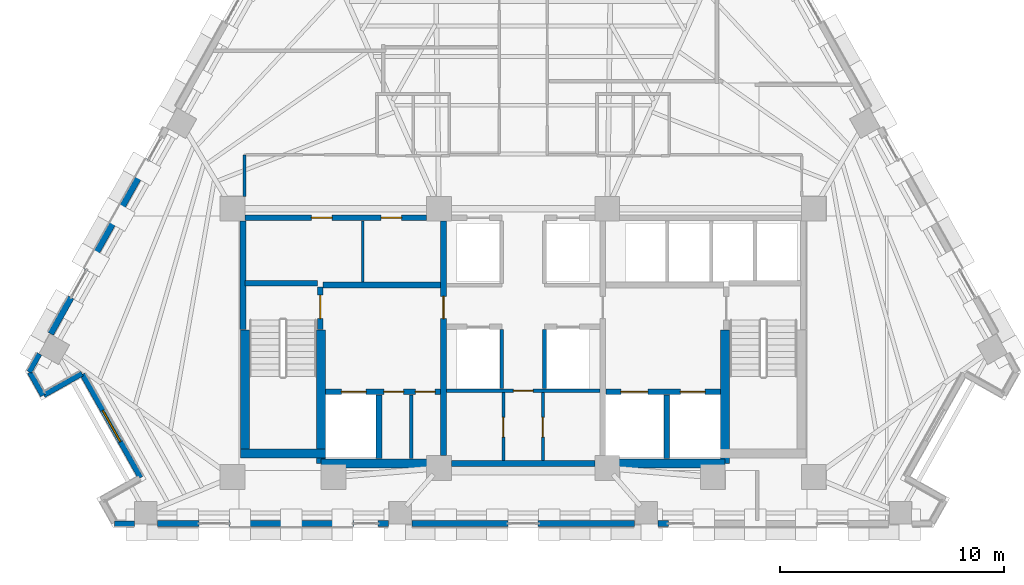
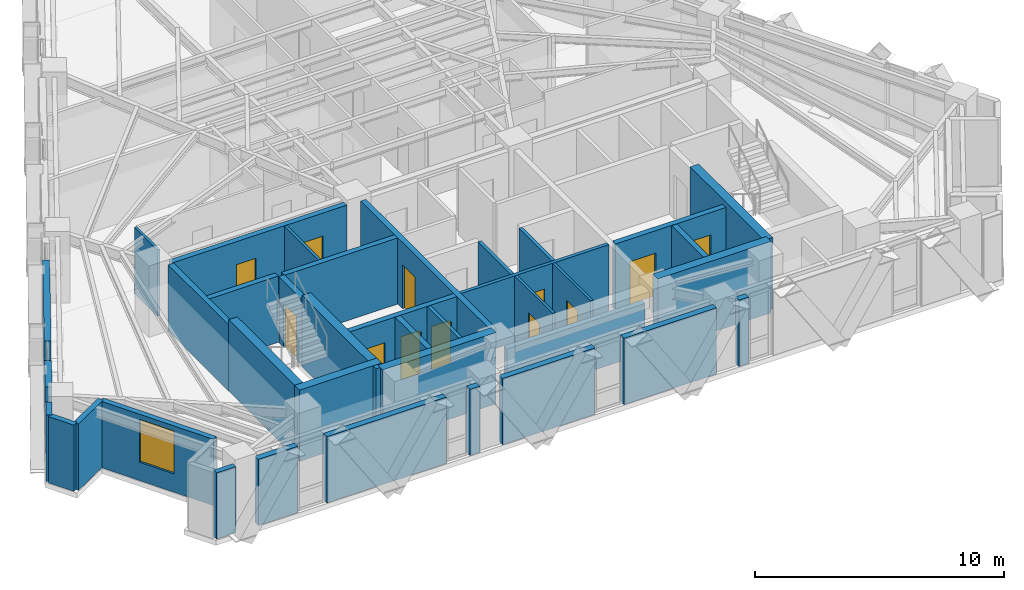
# One storey, part 7 of 14: 38 walls, 12 doors, 1 window, 13 openings.
"""IFC4 building model written with IfcOpenShell, lengths in metres."""

from ifc_helpers import new_model, si_unit, direction, frame, frame_2d, origin, place, context, subcontext, project, spatial, rectangle, extrude, material, layer, layer_set, type_object, element, fill, save


model = new_model("IFC4")

# Units and contexts
model_context = context("Model", 3, precision=1e-05, world=origin(), true_north=direction((0.0, 1.0)))
body_context = subcontext(model_context, "Body", "Model", "MODEL_VIEW")
ifc_project = project(units=[si_unit("LENGTHUNIT", "METRE"), si_unit("AREAUNIT", "SQUARE_METRE"), si_unit("VOLUMEUNIT", "CUBIC_METRE"), si_unit("PLANEANGLEUNIT", "RADIAN"), si_unit("MASSUNIT", "GRAM", prefix="KILO")], contexts=[model_context])

# Site, building, storey
site_placement = place(None, origin())
site = spatial("IfcSite", under=ifc_project, at=site_placement, CompositionType="ELEMENT")
building_placement = place(site_placement, origin())
building = spatial("IfcBuilding", under=site, at=building_placement, Name="Quenlor Broadcast Tower", CompositionType="ELEMENT")
storey_placement = place(building_placement, frame((0.0, 0.0, 140.5)))
storey = spatial("IfcBuildingStorey", under=building, at=storey_placement, Name="L38", CompositionType="ELEMENT", Elevation=140.5)

# Walls
ifc_material_1 = material(Name="Concrete C50/60", Category="concrete")
ifc_layer_1 = layer(ifc_material_1, 0.39990234375)
ifc_layer_set_1 = layer_set([ifc_layer_1], Name="Core Concrete C50/60 Shear Wall 400")
wall_type_1 = type_object("IfcWallType", Name="Core Concrete C50/60 Shear Wall 400", PredefinedType="SHEAR", material=ifc_layer_set_1)
wall_1_placement = place(storey_placement, frame((-12.60009765625, -15.699951171875, 0.0), z_axis=(0.0, 0.0, 1.0), x_axis=(1.0, 0.0, 0.0)))
element("IfcWall", 1, at=wall_1_placement, inside=storey, type_object=wall_type_1, Name="L38 Core Shear Wall WS-W1", PredefinedType="SHEAR", context=body_context, shape_type="SweptSolid", body=[
    extrude(rectangle(XDim=3.800048828125, YDim=0.39990234375, at=frame_2d((1.89990234375, 0.0))), origin(), (0.0, 0.0, 1.0), 3.5),
])
for number, where, z_axis, x_axis, name in (
    (2, (-9.0, -16.14990234375, 0.0), (0.0, 0.0, 1.0), (1.0, 0.0, 0.0), "L38 Core Shear Wall WS-W2"),
    (3, (3.75, -16.14990234375, 0.0), (0.0, 0.0, 1.0), (1.0, 0.0, 0.0), "L38 Core Shear Wall WS-E1"),
):
    element("IfcWall", number, at=place(storey_placement, frame(where, z_axis=z_axis, x_axis=x_axis)), inside=storey, type_object=wall_type_1, Name=name, PredefinedType="SHEAR", context=body_context, shape_type="SweptSolid", body=[
        extrude(rectangle(XDim=5.25, YDim=0.39990234375, at=frame_2d((2.625, 0.0))), origin(), (0.0, 0.0, 1.0), 3.5),
    ])
wall_2_placement = place(storey_placement, frame((-12.39990234375, -15.699951171875, 0.0), z_axis=(0.0, 0.0, 1.0), x_axis=(0.0, 1.0, 0.0)))
element("IfcWall", 4, at=wall_2_placement, inside=storey, type_object=wall_type_1, Name="L38 Core Shear Wall WF-W", PredefinedType="SHEAR", context=body_context, shape_type="SweptSolid", body=[
    extrude(rectangle(XDim=5.5, YDim=0.39990234375, at=frame_2d((2.75, 0.0))), origin(), (0.0, 0.0, 1.0), 3.5),
])
for number, where, z_axis, x_axis, name in (
    (5, (-9.0, -16.14990234375, 0.0), (0.0, 0.0, 1.0), (0.0, 1.0, 0.0), "L38 Core Shear Wall WI-W"),
    (6, (9.0, -16.14990234375, 0.0), (0.0, 0.0, 1.0), (0.0, 1.0, 0.0), "L38 Core Shear Wall WI-E"),
):
    element("IfcWall", number, at=place(storey_placement, frame(where, z_axis=z_axis, x_axis=x_axis)), inside=storey, type_object=wall_type_1, Name=name, PredefinedType="SHEAR", context=body_context, shape_type="SweptSolid", body=[
        extrude(rectangle(XDim=5.949951171875, YDim=0.39990234375, at=frame_2d((2.97509765625, 0.0))), origin(), (0.0, 0.0, 1.0), 3.5),
    ])

# Wall, opening, door
ifc_material_2 = material(Name="Concrete C40/50", Category="concrete")
ifc_layer_2 = layer(ifc_material_2, 0.25)
ifc_layer_set_2 = layer_set([ifc_layer_2], Name="Fire Rated Concrete C40/50 Core Wall 250")
wall_type_2 = type_object("IfcWallType", Name="Fire Rated Concrete C40/50 Core Wall 250", PredefinedType="PARTITIONING", material=ifc_layer_set_2)
wall_3_placement = place(storey_placement, frame((-9.0400390625, -10.179931640625, 0.0), z_axis=(0.0, 0.0, 1.0), x_axis=(0.0, 1.0, 0.0)))
wall_3 = element("IfcWall", 7, at=wall_3_placement, inside=storey, type_object=wall_type_2, Name="L38 Interior Wall CW-ST1-DR", PredefinedType="PARTITIONING", context=body_context, shape_type="SweptSolid", body=[
    extrude(rectangle(XDim=1.89990234375, YDim=0.25, at=frame_2d((0.949951171875, 0.0))), origin(), (0.0, 0.0, 1.0), 3.25),
])
opening_1_placement = place(wall_3_placement, frame((0.47998046875, 0.0, 0.0)))
opening_1 = element("IfcOpeningElement", 8, at=opening_1_placement, cuts=wall_3, Name="Opening FD-1", PredefinedType="OPENING", context=body_context, shape_type="SweptSolid", body=[
    extrude(rectangle(XDim=1.050048828125, YDim=2.14990234375, at=frame_2d((0.52490234375, 1.074951171875))), frame((0.0, 0.135009765625, 0.0), z_axis=(0.0, -1.0, 0.0), x_axis=(1.0, 0.0, 0.0)), (0.0, 0.0, 1.0), 0.27001953125),
])
ifc_material_3 = material(Name="Fire Rated Steel Door Leaf", Category="steel")
door_type_1 = type_object("IfcDoorType", Name="Fire Isolated Stair Door 1050x2150", OperationType="NOTDEFINED", PredefinedType="DOOR", material=ifc_material_3)
door_1_placement = place(opening_1_placement, origin())
door_1 = element("IfcDoor", 9, at=door_1_placement, inside=storey, type_object=door_type_1, Name="L38 Door DR-ST1", OperationType="SINGLE_SWING_LEFT", OverallHeight=2.14990234375, OverallWidth=1.050048828125, PredefinedType="DOOR", context=body_context, shape_type="SweptSolid", body=[
    extrude(rectangle(XDim=1.050048828125, YDim=2.14990234375, at=frame_2d((0.52490234375, 1.074951171875))), frame((0.0, 0.02490234375, 0.0), z_axis=(0.0, -1.0, 0.0), x_axis=(1.0, 0.0, 0.0)), (0.0, 0.0, 1.0), 0.050048828125),
])
fill(opening_1, door_1)

# Walls
wall_4_placement = place(storey_placement, frame((-12.3798828125, -8.1201171875, 0.0), z_axis=(0.0, 0.0, 1.0), x_axis=(1.0, 0.0, 0.0)))
element("IfcWall", 10, at=wall_4_placement, inside=storey, type_object=wall_type_2, Name="L38 Interior Wall CW-ST1-N", PredefinedType="PARTITIONING", context=body_context, shape_type="SweptSolid", body=[
    extrude(rectangle(XDim=3.219970703125, YDim=0.25, at=frame_2d((1.60986328125, 0.0))), origin(), (0.0, 0.0, 1.0), 3.25),
])
wall_5_placement = place(storey_placement, frame((-12.47998046875, -10.179931640625, 0.0), z_axis=(0.0, 0.0, 1.0), x_axis=(0.0, 1.0, 0.0)))
element("IfcWall", 11, at=wall_5_placement, inside=storey, type_object=wall_type_2, Name="L38 Interior Wall CW-ST1-W2", PredefinedType="PARTITIONING", context=body_context, shape_type="SweptSolid", body=[
    extrude(rectangle(XDim=4.827880859375, YDim=0.25, at=frame_2d((2.4140625, 0.0))), origin(), (0.0, 0.0, 1.0), 3.25),
])

# Wall, openings, doors
wall_6_placement = place(storey_placement, frame((-8.798095703125, -12.949951171875, 0.0), z_axis=(0.0, 0.0, 1.0), x_axis=(1.0, 0.0, 0.0)))
wall_6 = element("IfcWall", 12, at=wall_6_placement, inside=storey, type_object=wall_type_2, Name="L38 Interior Wall CW-FFW-S", PredefinedType="PARTITIONING", context=body_context, shape_type="SweptSolid", body=[
    extrude(rectangle(XDim=5.1181640625, YDim=0.25, at=frame_2d((2.55908203125, 0.0))), origin(), (0.0, 0.0, 1.0), 3.25),
])
opening_2_placement = place(wall_6_placement, frame((0.697998046875, 0.0, 0.0)))
opening_2 = element("IfcOpeningElement", 13, at=opening_2_placement, cuts=wall_6, Name="Opening LD-FFL-1", PredefinedType="OPENING", context=body_context, shape_type="SweptSolid", body=[
    extrude(rectangle(XDim=1.10009765625, YDim=2.14990234375, at=frame_2d((0.550048828125, 1.074951171875))), frame((0.0, 0.135009765625, 0.0), z_axis=(0.0, -1.0, 0.0), x_axis=(1.0, 0.0, 0.0)), (0.0, 0.0, 1.0), 0.27001953125),
])
opening_3_placement = place(wall_6_placement, frame((2.597900390625, 0.0, 0.0)))
opening_3 = element("IfcOpeningElement", 14, at=opening_3_placement, cuts=wall_6, Name="Opening TD-1", PredefinedType="OPENING", context=body_context, shape_type="SweptSolid", body=[
    extrude(rectangle(XDim=0.8798828125, YDim=2.10009765625, at=frame_2d((0.43994140625, 1.050048828125))), frame((0.0, 0.135009765625, 0.0), z_axis=(0.0, -1.0, 0.0), x_axis=(1.0, 0.0, 0.0)), (0.0, 0.0, 1.0), 0.27001953125),
])
opening_4_placement = place(wall_6_placement, frame((3.998046875, 0.0, 0.0)))
opening_4 = element("IfcOpeningElement", 15, at=opening_4_placement, cuts=wall_6, Name="Opening TD-1", PredefinedType="OPENING", context=body_context, shape_type="SweptSolid", body=[
    extrude(rectangle(XDim=0.8798828125, YDim=2.10009765625, at=frame_2d((0.43994140625, 1.050048828125))), frame((0.0, 0.135009765625, 0.0), z_axis=(0.0, -1.0, 0.0), x_axis=(1.0, 0.0, 0.0)), (0.0, 0.0, 1.0), 0.27001953125),
])
ifc_material_4 = material(Name="Brushed Stainless Steel", Category="steel")
door_type_2 = type_object("IfcDoorType", Name="Emergency Lift Sliding Landing Door 1100x2150", OperationType="NOTDEFINED", PredefinedType="DOOR", material=ifc_material_4)
door_2_placement = place(opening_2_placement, origin())
door_2 = element("IfcDoor", 16, at=door_2_placement, inside=storey, type_object=door_type_2, Name="L38 Door LD-FFL-1", OperationType="SLIDING_TO_LEFT", OverallHeight=2.14990234375, OverallWidth=1.10009765625, PredefinedType="DOOR", context=body_context, shape_type="SweptSolid", body=[
    extrude(rectangle(XDim=1.10009765625, YDim=2.14990234375, at=frame_2d((0.550048828125, 1.074951171875))), frame((0.0, 0.02490234375, 0.0), z_axis=(0.0, -1.0, 0.0), x_axis=(1.0, 0.0, 0.0)), (0.0, 0.0, 1.0), 0.050048828125),
])
fill(opening_2, door_2)
ifc_material_5 = material(Name="Fire Rated Steel Access Panel", Category="steel")
door_type_3 = type_object("IfcDoorType", Name="Riser Shaft Rated Access Trapdoor 880x2100", OperationType="NOTDEFINED", PredefinedType="TRAPDOOR", material=ifc_material_5)
door_3_placement = place(opening_3_placement, origin())
door_3 = element("IfcDoor", 17, at=door_3_placement, inside=storey, type_object=door_type_3, Name="L38 Door DR-ELR", OperationType="SINGLE_SWING_LEFT", OverallHeight=2.10009765625, OverallWidth=0.8798828125, PredefinedType="TRAPDOOR", context=body_context, shape_type="SweptSolid", body=[
    extrude(rectangle(XDim=0.8798828125, YDim=2.10009765625, at=frame_2d((0.43994140625, 1.050048828125))), frame((0.0, 0.02490234375, 0.0), z_axis=(0.0, -1.0, 0.0), x_axis=(1.0, 0.0, 0.0)), (0.0, 0.0, 1.0), 0.050048828125),
])
fill(opening_3, door_3)
door_4_placement = place(opening_4_placement, origin())
door_4 = element("IfcDoor", 18, at=door_4_placement, inside=storey, type_object=door_type_3, Name="L38 Door DR-CMR", OperationType="SINGLE_SWING_RIGHT", OverallHeight=2.10009765625, OverallWidth=0.8798828125, PredefinedType="TRAPDOOR", context=body_context, shape_type="SweptSolid", body=[
    extrude(rectangle(XDim=0.8798828125, YDim=2.10009765625, at=frame_2d((0.43994140625, 1.050048828125))), frame((0.0, 0.02490234375, 0.0), z_axis=(0.0, -1.0, 0.0), x_axis=(1.0, 0.0, 0.0)), (0.0, 0.0, 1.0), 0.050048828125),
])
fill(opening_4, door_4)

wall_7_placement = place(storey_placement, frame((3.679931640625, -12.949951171875, 0.0), z_axis=(0.0, 0.0, 1.0), x_axis=(1.0, 0.0, 0.0)))
wall_7 = element("IfcWall", 19, at=wall_7_placement, inside=storey, type_object=wall_type_2, Name="L38 Interior Wall CW-FFE-S", PredefinedType="PARTITIONING", context=body_context, shape_type="SweptSolid", body=[
    extrude(rectangle(XDim=5.1181640625, YDim=0.25, at=frame_2d((2.55908203125, 0.0))), origin(), (0.0, 0.0, 1.0), 3.25),
])
opening_5_placement = place(wall_7_placement, frame((3.320068359375, 0.0, 0.0)))
opening_5 = element("IfcOpeningElement", 20, at=opening_5_placement, cuts=wall_7, Name="Opening LD-FFL-2", PredefinedType="OPENING", context=body_context, shape_type="SweptSolid", body=[
    extrude(rectangle(XDim=1.10009765625, YDim=2.14990234375, at=frame_2d((0.550048828125, 1.074951171875))), frame((0.0, 0.135009765625, 0.0), z_axis=(0.0, -1.0, 0.0), x_axis=(1.0, 0.0, 0.0)), (0.0, 0.0, 1.0), 0.27001953125),
])
opening_6_placement = place(wall_7_placement, frame((0.669921875, 0.0, 0.0)))
opening_6 = element("IfcOpeningElement", 21, at=opening_6_placement, cuts=wall_7, Name="Opening LD-SVL-1", PredefinedType="OPENING", context=body_context, shape_type="SweptSolid", body=[
    extrude(rectangle(XDim=1.199951171875, YDim=2.14990234375, at=frame_2d((0.60009765625, 1.074951171875))), frame((0.0, 0.135009765625, 0.0), z_axis=(0.0, -1.0, 0.0), x_axis=(1.0, 0.0, 0.0)), (0.0, 0.0, 1.0), 0.27001953125),
])
door_5_placement = place(opening_5_placement, origin())
door_5 = element("IfcDoor", 22, at=door_5_placement, inside=storey, type_object=door_type_2, Name="L38 Door LD-FFL-2", OperationType="SLIDING_TO_RIGHT", OverallHeight=2.14990234375, OverallWidth=1.10009765625, PredefinedType="DOOR", context=body_context, shape_type="SweptSolid", body=[
    extrude(rectangle(XDim=1.10009765625, YDim=2.14990234375, at=frame_2d((0.550048828125, 1.074951171875))), frame((0.0, 0.02490234375, 0.0), z_axis=(0.0, -1.0, 0.0), x_axis=(1.0, 0.0, 0.0)), (0.0, 0.0, 1.0), 0.050048828125),
])
fill(opening_5, door_5)
ifc_material_6 = material(Name="Brushed Stainless Steel", Category="steel")
door_type_4 = type_object("IfcDoorType", Name="Goods Lift Sliding Landing Door 1200x2150", OperationType="NOTDEFINED", PredefinedType="DOOR", material=ifc_material_6)
door_6_placement = place(opening_6_placement, origin())
door_6 = element("IfcDoor", 23, at=door_6_placement, inside=storey, type_object=door_type_4, Name="L38 Door LD-SVL-1", OperationType="SLIDING_TO_LEFT", OverallHeight=2.14990234375, OverallWidth=1.199951171875, PredefinedType="DOOR", context=body_context, shape_type="SweptSolid", body=[
    extrude(rectangle(XDim=1.199951171875, YDim=2.14990234375, at=frame_2d((0.60009765625, 1.074951171875))), frame((0.0, 0.02490234375, 0.0), z_axis=(0.0, -1.0, 0.0), x_axis=(1.0, 0.0, 0.0)), (0.0, 0.0, 1.0), 0.050048828125),
])
fill(opening_6, door_6)

# Walls
for number, where, z_axis, x_axis, name in (
    (24, (-6.419921875, -15.919921875, 0.0), (0.0, 0.0, 1.0), (0.0, 1.0, 0.0), "L38 Interior Wall CW-FF1-E"),
    (25, (6.39990234375, -15.919921875, 0.0), (0.0, 0.0, 1.0), (0.0, 1.0, 0.0), "L38 Interior Wall CW-SV1-E"),
):
    element("IfcWall", number, at=place(storey_placement, frame(where, z_axis=z_axis, x_axis=x_axis)), inside=storey, type_object=wall_type_2, Name=name, PredefinedType="PARTITIONING", context=body_context, shape_type="SweptSolid", body=[
        extrude(rectangle(XDim=2.829833984375, YDim=0.25, at=frame_2d((1.4150390625, 0.0))), origin(), (0.0, 0.0, 1.0), 3.25),
    ])
wall_8_placement = place(storey_placement, frame((-8.919921875, -8.199951171875, 0.0), z_axis=(0.0, 0.0, 1.0), x_axis=(1.0, 0.0, 0.0)))
element("IfcWall", 26, at=wall_8_placement, inside=storey, type_object=wall_type_2, Name="L38 Interior Wall CW-FFW-N", PredefinedType="PARTITIONING", context=body_context, shape_type="SweptSolid", body=[
    extrude(rectangle(XDim=5.239990234375, YDim=0.25, at=frame_2d((2.6201171875, 0.0))), origin(), (0.0, 0.0, 1.0), 3.25),
])

# Wall, opening, door
wall_9_placement = place(storey_placement, frame((-3.550048828125, -15.798095703125, 0.0), z_axis=(0.0, 0.0, 1.0), x_axis=(0.0, 1.0, 0.0)))
wall_9 = element("IfcWall", 27, at=wall_9_placement, inside=storey, type_object=wall_type_2, Name="L38 Interior Wall CW-FFW-E", PredefinedType="PARTITIONING", context=body_context, shape_type="SweptSolid", body=[
    extrude(rectangle(XDim=10.446044921875, YDim=0.25, at=frame_2d((5.22314453125, 0.0))), origin(), (0.0, 0.0, 1.0), 3.25),
])
opening_7_placement = place(wall_9_placement, frame((6.097900390625, 0.0, 0.0)))
opening_7 = element("IfcOpeningElement", 28, at=opening_7_placement, cuts=wall_9, Name="Opening FD-2", PredefinedType="OPENING", context=body_context, shape_type="SweptSolid", body=[
    extrude(rectangle(XDim=1.0, YDim=2.14990234375, at=frame_2d((0.5, 1.074951171875))), frame((0.0, 0.135009765625, 0.0), z_axis=(0.0, -1.0, 0.0), x_axis=(1.0, 0.0, 0.0)), (0.0, 0.0, 1.0), 0.27001953125),
])
ifc_material_7 = material(Name="Fire Rated Glazed Steel Door", Category="steel")
door_type_5 = type_object("IfcDoorType", Name="Firefighting Lobby Smoke Door 1000x2150", OperationType="NOTDEFINED", PredefinedType="DOOR", material=ifc_material_7)
door_7_placement = place(opening_7_placement, origin())
door_7 = element("IfcDoor", 29, at=door_7_placement, inside=storey, type_object=door_type_5, Name="L38 Door DR-FFLW", OperationType="SINGLE_SWING_RIGHT", OverallHeight=2.14990234375, OverallWidth=1.0, PredefinedType="DOOR", context=body_context, shape_type="SweptSolid", body=[
    extrude(rectangle(XDim=1.0, YDim=2.14990234375, at=frame_2d((0.5, 1.074951171875))), frame((0.0, 0.02490234375, 0.0), z_axis=(0.0, -1.0, 0.0), x_axis=(1.0, 0.0, 0.0)), (0.0, 0.0, 1.0), 0.050048828125),
])
fill(opening_7, door_7)

# Wall, openings, doors
wall_10_placement = place(storey_placement, frame((-12.39794921875, -5.199951171875, 0.0), z_axis=(0.0, 0.0, 1.0), x_axis=(1.0, 0.0, 0.0)))
wall_10 = element("IfcWall", 30, at=wall_10_placement, inside=storey, type_object=wall_type_2, Name="L38 Interior Wall CW-N-W", PredefinedType="PARTITIONING", context=body_context, shape_type="SweptSolid", body=[
    extrude(rectangle(XDim=8.095947265625, YDim=0.25, at=frame_2d((4.0478515625, 0.0))), origin(), (0.0, 0.0, 1.0), 3.25),
])
opening_8_placement = place(wall_10_placement, frame((2.968017578125, 0.0, 0.0)))
opening_8 = element("IfcOpeningElement", 31, at=opening_8_placement, cuts=wall_10, Name="Opening ID-1", PredefinedType="OPENING", context=body_context, shape_type="SweptSolid", body=[
    extrude(rectangle(XDim=0.919921875, YDim=2.1201171875, at=frame_2d((0.4599609375, 1.06005859375))), frame((0.0, 0.135009765625, 0.0), z_axis=(0.0, -1.0, 0.0), x_axis=(1.0, 0.0, 0.0)), (0.0, 0.0, 1.0), 0.27001953125),
])
opening_9_placement = place(wall_10_placement, frame((6.068115234375, 0.0, 0.0)))
opening_9 = element("IfcOpeningElement", 32, at=opening_9_placement, cuts=wall_10, Name="Opening ID-1", PredefinedType="OPENING", context=body_context, shape_type="SweptSolid", body=[
    extrude(rectangle(XDim=0.919921875, YDim=2.1201171875, at=frame_2d((0.4599609375, 1.06005859375))), frame((0.0, 0.135009765625, 0.0), z_axis=(0.0, -1.0, 0.0), x_axis=(1.0, 0.0, 0.0)), (0.0, 0.0, 1.0), 0.27001953125),
])
ifc_material_8 = material(Name="Solid Core Timber Oak", Category="wood")
door_type_6 = type_object("IfcDoorType", Name="Single Leaf Timber Office Door 920x2120", OperationType="NOTDEFINED", PredefinedType="DOOR", material=ifc_material_8)
door_8_placement = place(opening_8_placement, origin())
door_8 = element("IfcDoor", 33, at=door_8_placement, inside=storey, type_object=door_type_6, Name="L38 Door DR-RCL1", OperationType="SINGLE_SWING_LEFT", OverallHeight=2.1201171875, OverallWidth=0.919921875, PredefinedType="DOOR", context=body_context, shape_type="SweptSolid", body=[
    extrude(rectangle(XDim=0.919921875, YDim=2.1201171875, at=frame_2d((0.4599609375, 1.06005859375))), frame((0.0, 0.02490234375, 0.0), z_axis=(0.0, -1.0, 0.0), x_axis=(1.0, 0.0, 0.0)), (0.0, 0.0, 1.0), 0.050048828125),
])
fill(opening_8, door_8)
door_9_placement = place(opening_9_placement, origin())
door_9 = element("IfcDoor", 34, at=door_9_placement, inside=storey, type_object=door_type_6, Name="L38 Door DR-RCL2", OperationType="SINGLE_SWING_RIGHT", OverallHeight=2.1201171875, OverallWidth=0.919921875, PredefinedType="DOOR", context=body_context, shape_type="SweptSolid", body=[
    extrude(rectangle(XDim=0.919921875, YDim=2.1201171875, at=frame_2d((0.4599609375, 1.06005859375))), frame((0.0, 0.02490234375, 0.0), z_axis=(0.0, -1.0, 0.0), x_axis=(1.0, 0.0, 0.0)), (0.0, 0.0, 1.0), 0.050048828125),
])
fill(opening_9, door_9)

# Walls
wall_11_placement = place(storey_placement, frame((-3.197998046875, -16.14990234375, 0.0), z_axis=(0.0, 0.0, 1.0), x_axis=(1.0, 0.0, 0.0)))
element("IfcWall", 35, at=wall_11_placement, inside=storey, type_object=wall_type_2, Name="L38 Interior Wall CW-MS-S", PredefinedType="PARTITIONING", context=body_context, shape_type="SweptSolid", body=[
    extrude(rectangle(XDim=6.39599609375, YDim=0.25, at=frame_2d((3.197998046875, 0.0))), origin(), (0.0, 0.0, 1.0), 2.449951171875),
])
ifc_material_9 = material(Name="Gypsum Fireboard Partition", Category="other")
ifc_layer_3 = layer(ifc_material_9, 0.159912109375)
ifc_layer_set_3 = layer_set([ifc_layer_3], Name="Fire Rated Shaft and Corridor Partition 160")
wall_type_3 = type_object("IfcWallType", Name="Fire Rated Shaft and Corridor Partition 160", PredefinedType="PARTITIONING", material=ifc_layer_set_3)
wall_12_placement = place(storey_placement, frame((-4.97998046875, -15.919921875, 0.0), z_axis=(0.0, 0.0, 1.0), x_axis=(0.0, 1.0, 0.0)))
element("IfcWall", 36, at=wall_12_placement, inside=storey, type_object=wall_type_3, Name="L38 Interior Wall CW-ELR-E", PredefinedType="PARTITIONING", context=body_context, shape_type="SweptSolid", body=[
    extrude(rectangle(XDim=2.829833984375, YDim=0.159912109375, at=frame_2d((1.4150390625, 0.0))), origin(), (0.0, 0.0, 1.0), 3.25),
])

# Wall, opening, door
wall_13_placement = place(storey_placement, frame((-3.419921875, -12.89990234375, 0.0), z_axis=(0.0, 0.0, 1.0), x_axis=(1.0, 0.0, 0.0)))
wall_13 = element("IfcWall", 37, at=wall_13_placement, inside=storey, type_object=wall_type_3, Name="L38 Interior Wall CW-MS-B", PredefinedType="PARTITIONING", context=body_context, shape_type="SweptSolid", body=[
    extrude(rectangle(XDim=6.83984375, YDim=0.159912109375, at=frame_2d((3.419921875, 0.0))), origin(), (0.0, 0.0, 1.0), 3.25),
])
opening_10_placement = place(wall_13_placement, frame((2.97998046875, 0.0, 0.0)))
opening_10 = element("IfcOpeningElement", 38, at=opening_10_placement, cuts=wall_13, Name="Opening ID-4", PredefinedType="OPENING", context=body_context, shape_type="SweptSolid", body=[
    extrude(rectangle(XDim=0.8798828125, YDim=2.1201171875, at=frame_2d((0.43994140625, 1.06005859375))), frame((0.0, 0.08984375, 0.0), z_axis=(0.0, -1.0, 0.0), x_axis=(1.0, 0.0, 0.0)), (0.0, 0.0, 1.0), 0.179931640625),
])
ifc_material_10 = material(Name="Solid Core Timber Oak", Category="wood")
door_type_7 = type_object("IfcDoorType", Name="Service Closet Timber Door 880x2120", OperationType="NOTDEFINED", PredefinedType="DOOR", material=ifc_material_10)
door_10_placement = place(opening_10_placement, origin())
door_10 = element("IfcDoor", 39, at=door_10_placement, inside=storey, type_object=door_type_7, Name="L38 Door DR-CSV0", OperationType="SINGLE_SWING_LEFT", OverallHeight=2.1201171875, OverallWidth=0.8798828125, PredefinedType="DOOR", context=body_context, shape_type="SweptSolid", body=[
    extrude(rectangle(XDim=0.8798828125, YDim=2.1201171875, at=frame_2d((0.43994140625, 1.06005859375))), frame((0.0, 0.02490234375, 0.0), z_axis=(0.0, -1.0, 0.0), x_axis=(1.0, 0.0, 0.0)), (0.0, 0.0, 1.0), 0.050048828125),
])
fill(opening_10, door_10)

# Walls
for number, where, z_axis, x_axis, name in (
    (40, (-0.949951171875, -12.818115234375, 0.0), (0.0, 0.0, 1.0), (0.0, 1.0, 0.0), "L38 Interior Wall CW-MS-W"),
    (41, (0.949951171875, -12.818115234375, 0.0), (0.0, 0.0, 1.0), (0.0, 1.0, 0.0), "L38 Interior Wall CW-MS-E"),
):
    element("IfcWall", number, at=place(storey_placement, frame(where, z_axis=z_axis, x_axis=x_axis)), inside=storey, type_object=wall_type_3, Name=name, PredefinedType="PARTITIONING", context=body_context, shape_type="SweptSolid", body=[
        extrude(rectangle(XDim=2.63818359375, YDim=0.159912109375, at=frame_2d((1.319091796875, 0.0))), origin(), (0.0, 0.0, 1.0), 3.25),
    ])
ifc_material_11 = material(Name="Gypsum Plasterboard Partition", Category="other")
ifc_layer_4 = layer(ifc_material_11, 0.1201171875)
ifc_layer_set_4 = layer_set([ifc_layer_4], Name="Standard Office Partition 120")
wall_type_4 = type_object("IfcWallType", Name="Standard Office Partition 120", PredefinedType="PARTITIONING", material=ifc_layer_set_4)
wall_14_placement = place(storey_placement, frame((-7.14990234375, -8.072998046875, 0.0), z_axis=(0.0, 0.0, 1.0), x_axis=(0.0, 1.0, 0.0)))
element("IfcWall", 42, at=wall_14_placement, inside=storey, type_object=wall_type_4, Name="L38 Interior Wall CW-RCL-MID", PredefinedType="PARTITIONING", context=body_context, shape_type="SweptSolid", body=[
    extrude(rectangle(XDim=2.73291015625, YDim=0.1201171875, at=frame_2d((1.366455078125, 0.0))), origin(), (0.0, 0.0, 1.0), 3.25),
])

# Wall, opening, door
wall_15_placement = place(storey_placement, frame((-0.8798828125, -16.02001953125, 0.0), z_axis=(0.0, 0.0, 1.0), x_axis=(0.0, 1.0, 0.0)))
wall_15 = element("IfcWall", 43, at=wall_15_placement, inside=storey, type_object=wall_type_4, Name="L38 Interior Wall CW-CSV-W3", PredefinedType="PARTITIONING", context=body_context, shape_type="SweptSolid", body=[
    extrude(rectangle(XDim=3.0380859375, YDim=0.1201171875, at=frame_2d((1.51904296875, 0.0))), origin(), (0.0, 0.0, 1.0), 3.25),
])
opening_11_placement = place(wall_15_placement, frame((1.050048828125, 0.0, 0.0)))
opening_11 = element("IfcOpeningElement", 44, at=opening_11_placement, cuts=wall_15, Name="Opening ID-4", PredefinedType="OPENING", context=body_context, shape_type="SweptSolid", body=[
    extrude(rectangle(XDim=0.8798828125, YDim=2.1201171875, at=frame_2d((0.43994140625, 1.06005859375))), frame((0.0, 0.070068359375, 0.0), z_axis=(0.0, -1.0, 0.0), x_axis=(1.0, 0.0, 0.0)), (0.0, 0.0, 1.0), 0.14013671875),
])
door_11_placement = place(opening_11_placement, origin())
door_11 = element("IfcDoor", 45, at=door_11_placement, inside=storey, type_object=door_type_7, Name="L38 Door DR-CSV1", OperationType="SINGLE_SWING_LEFT", OverallHeight=2.1201171875, OverallWidth=0.8798828125, PredefinedType="DOOR", context=body_context, shape_type="SweptSolid", body=[
    extrude(rectangle(XDim=0.8798828125, YDim=2.1201171875, at=frame_2d((0.43994140625, 1.06005859375))), frame((0.0, 0.02490234375, 0.0), z_axis=(0.0, -1.0, 0.0), x_axis=(1.0, 0.0, 0.0)), (0.0, 0.0, 1.0), 0.050048828125),
])
fill(opening_11, door_11)

wall_16_placement = place(storey_placement, frame((0.8798828125, -16.02001953125, 0.0), z_axis=(0.0, 0.0, 1.0), x_axis=(0.0, 1.0, 0.0)))
wall_16 = element("IfcWall", 46, at=wall_16_placement, inside=storey, type_object=wall_type_4, Name="L38 Interior Wall CW-CSV-E3", PredefinedType="PARTITIONING", context=body_context, shape_type="SweptSolid", body=[
    extrude(rectangle(XDim=3.0380859375, YDim=0.1201171875, at=frame_2d((1.51904296875, 0.0))), origin(), (0.0, 0.0, 1.0), 3.25),
])
opening_12_placement = place(wall_16_placement, frame((1.050048828125, 0.0, 0.0)))
opening_12 = element("IfcOpeningElement", 47, at=opening_12_placement, cuts=wall_16, Name="Opening ID-4", PredefinedType="OPENING", context=body_context, shape_type="SweptSolid", body=[
    extrude(rectangle(XDim=0.8798828125, YDim=2.1201171875, at=frame_2d((0.43994140625, 1.06005859375))), frame((0.0, 0.070068359375, 0.0), z_axis=(0.0, -1.0, 0.0), x_axis=(1.0, 0.0, 0.0)), (0.0, 0.0, 1.0), 0.14013671875),
])
door_12_placement = place(opening_12_placement, origin())
door_12 = element("IfcDoor", 48, at=door_12_placement, inside=storey, type_object=door_type_7, Name="L38 Door DR-CSV2", OperationType="SINGLE_SWING_RIGHT", OverallHeight=2.1201171875, OverallWidth=0.8798828125, PredefinedType="DOOR", context=body_context, shape_type="SweptSolid", body=[
    extrude(rectangle(XDim=0.8798828125, YDim=2.1201171875, at=frame_2d((0.43994140625, 1.06005859375))), frame((0.0, 0.02490234375, 0.0), z_axis=(0.0, -1.0, 0.0), x_axis=(1.0, 0.0, 0.0)), (0.0, 0.0, 1.0), 0.050048828125),
])
fill(opening_12, door_12)

# Walls
wall_17_placement = place(storey_placement, frame((-12.409912109375, -4.248046875, 0.0), z_axis=(0.0, 0.0, 1.0), x_axis=(0.0, 1.0, 0.0)))
element("IfcWall", 49, at=wall_17_placement, inside=storey, type_object=wall_type_4, Name="L38 Interior Wall PW-CR-01", PredefinedType="PARTITIONING", context=body_context, shape_type="SweptSolid", body=[
    extrude(rectangle(XDim=1.84814453125, YDim=0.1201171875, at=frame_2d((0.924072265625, 0.0))), origin(), (0.0, 0.0, 1.0), 3.25),
])
ifc_material_12 = material(Name="Precast concrete C40/50", Category="concrete")
ifc_layer_5 = layer(ifc_material_12, 0.239990234375)
ifc_layer_set_5 = layer_set([ifc_layer_5], Name="Terrace Threshold Precast Concrete C40/50 Wall 240")
wall_type_5 = type_object("IfcWallType", Name="Terrace Threshold Precast Concrete C40/50 Wall 240", PredefinedType="STANDARD", material=ifc_layer_set_5)
wall_18_placement = place(storey_placement, frame((-17.3134765625, -18.824951171875, 0.0), z_axis=(0.0, 0.0, 1.0), x_axis=(-1.0, 0.0, 0.0)))
element("IfcWall", 50, at=wall_18_placement, inside=storey, type_object=wall_type_5, Name="L38 Exterior Wall L38-SHD-SS1", PredefinedType="STANDARD", context=body_context, shape_type="SweptSolid", body=[
    extrude(rectangle(XDim=0.896484375, YDim=0.239990234375, at=frame_2d((0.4482421875, 0.0))), origin(), (0.0, 0.0, 1.0), 3.25),
])
wall_19_placement = place(storey_placement, frame((-22.003173828125, -12.073486328125, 0.0), z_axis=(0.0, 0.0, 1.0), x_axis=(0.490248718924, 0.871582579905, 0.0)))
element("IfcWall", 51, at=wall_19_placement, inside=storey, type_object=wall_type_5, Name="L38 Exterior Wall L38-SHD-NWS0", PredefinedType="STANDARD", context=body_context, shape_type="SweptSolid", body=[
    extrude(rectangle(XDim=0.92578125, YDim=0.239990234375, at=frame_2d((0.462890625, 0.0))), origin(), (0.0, 0.0, 1.0), 3.25),
])
wall_20_placement = place(storey_placement, frame((-21.976806640625, -12.08349609375, 0.0), z_axis=(0.0, 0.0, 1.0), x_axis=(0.490154352582, -0.871635652463, 0.0)))
element("IfcWall", 52, at=wall_20_placement, inside=storey, type_object=wall_type_5, Name="L38 Exterior Wall L38-CNR-12", PredefinedType="STANDARD", context=body_context, shape_type="SweptSolid", body=[
    extrude(rectangle(XDim=1.19287109375, YDim=0.239990234375, at=frame_2d((0.596435546875, 0.0))), origin(), (0.0, 0.0, 1.0), 3.25),
])
wall_21_placement = place(storey_placement, frame((-21.357421875, -13.103515625, 0.0), z_axis=(0.0, 0.0, 1.0), x_axis=(0.871595493845, 0.490225759328, 0.0)))
element("IfcWall", 53, at=wall_21_placement, inside=storey, type_object=wall_type_5, Name="L38 Exterior Wall L38-CNR-13", PredefinedType="STANDARD", context=body_context, shape_type="SweptSolid", body=[
    extrude(rectangle(XDim=1.960205078125, YDim=0.239990234375, at=frame_2d((0.97998046875, 0.0))), origin(), (0.0, 0.0, 1.0), 3.25),
])

# Wall, opening, window
wall_22_placement = place(storey_placement, frame((-19.62939453125, -12.177490234375, 0.0), z_axis=(0.0, 0.0, 1.0), x_axis=(0.490276606961, -0.871566892824, 0.0)))
wall_22 = element("IfcWall", 54, at=wall_22_placement, inside=storey, type_object=wall_type_5, Name="L38 Exterior Wall L38-CNR-14", PredefinedType="STANDARD", context=body_context, shape_type="SweptSolid", body=[
    extrude(rectangle(XDim=5.280029296875, YDim=0.239990234375, at=frame_2d((2.64013671875, 0.0))), origin(), (0.0, 0.0, 1.0), 3.25),
])
opening_13_placement = place(wall_22_placement, frame((1.840087890625, 0.0, 0.89990234375)))
opening_13 = element("IfcOpeningElement", 55, at=opening_13_placement, cuts=wall_22, Name="Opening WN-2", PredefinedType="OPENING", context=body_context, shape_type="SweptSolid", body=[
    extrude(rectangle(XDim=1.60009765625, YDim=2.10009765625, at=frame_2d((0.800048828125, 1.050048828125))), frame((0.0, 0.1298828125, 0.0), z_axis=(0.0, -1.0, 0.0), x_axis=(1.0, 0.0, 0.0)), (0.0, 0.0, 1.0), 0.260009765625),
])
ifc_material_13 = material(Name="Thermally Broken Aluminium and Low-E Glass", Category="aluminium")
window_type = type_object("IfcWindowType", Name="Tower Studio Punched Window 1600x2100", PartitioningType="SINGLE_PANEL", PredefinedType="WINDOW", material=ifc_material_13)
window_placement = place(opening_13_placement, origin())
window = element("IfcWindow", 56, at=window_placement, inside=storey, type_object=window_type, Name="L38 Corner Chamfer Window 14", OverallHeight=2.10009765625, OverallWidth=1.60009765625, PartitioningType="SINGLE_PANEL", PredefinedType="WINDOW", context=body_context, shape_type="SweptSolid", body=[
    extrude(rectangle(XDim=1.60009765625, YDim=2.10009765625, at=frame_2d((0.800048828125, 1.050048828125))), frame((0.0, 0.030029296875, 0.0), z_axis=(0.0, -1.0, 0.0), x_axis=(1.0, 0.0, 0.0)), (0.0, 0.0, 1.0), 0.06005859375),
])
fill(opening_13, window)

# Walls
ifc_material_14 = material(Name="Precast concrete C40/50", Category="concrete")
ifc_layer_6 = layer(ifc_material_14, 0.280029296875)
ifc_layer_set_6 = layer_set([ifc_layer_6], Name="Terracotta Precast Concrete C40/50 Facade Wall 280")
wall_type_6 = type_object("IfcWallType", Name="Terracotta Precast Concrete C40/50 Facade Wall 280", PredefinedType="STANDARD", material=ifc_layer_set_6)
for number, where, z_axis, x_axis, name in (
    (57, (6.466064453125, -18.824951171875, 0.0), (0.0, 0.0, 1.0), (-1.0, 0.0, 0.0), "L38 Exterior Wall L38-SA-SP3"),
    (58, (-6.006103515625, -18.824951171875, 0.0), (0.0, 0.0, 1.0), (-1.0, 0.0, 0.0), "L38 Exterior Wall L38-SC-SP1"),
):
    element("IfcWall", number, at=place(storey_placement, frame(where, z_axis=z_axis, x_axis=x_axis)), inside=storey, type_object=wall_type_6, Name=name, PredefinedType="STANDARD", context=body_context, shape_type="SweptSolid", body=[
        extrude(rectangle(XDim=0.4599609375, YDim=0.280029296875, at=frame_2d((0.22998046875, 0.0))), origin(), (0.0, 0.0, 1.0), 3.25),
    ])
wall_23_placement = place(storey_placement, frame((-7.556884765625, -18.824951171875, 0.0), z_axis=(0.0, 0.0, 1.0), x_axis=(-1.0, 0.0, 0.0)))
element("IfcWall", 59, at=wall_23_placement, inside=storey, type_object=wall_type_6, Name="L38 Exterior Wall L38-SC-SP2", PredefinedType="STANDARD", context=body_context, shape_type="SweptSolid", body=[
    extrude(rectangle(XDim=5.550048828125, YDim=0.280029296875, at=frame_2d((2.77490234375, 0.0))), origin(), (0.0, 0.0, 1.0), 3.25),
])
wall_24_placement = place(storey_placement, frame((-14.445068359375, -18.824951171875, 0.0), z_axis=(0.0, 0.0, 1.0), x_axis=(-1.0, 0.0, 0.0)))
element("IfcWall", 60, at=wall_24_placement, inside=storey, type_object=wall_type_6, Name="L38 Exterior Wall L38-SC-SP3", PredefinedType="STANDARD", context=body_context, shape_type="SweptSolid", body=[
    extrude(rectangle(XDim=1.83837890625, YDim=0.280029296875, at=frame_2d((0.919189453125, 0.0))), origin(), (0.0, 0.0, 1.0), 3.25),
])
for number, where, z_axis, x_axis, name in (
    (61, (4.9609375, -18.824951171875, 0.0), (0.0, 0.0, 1.0), (-1.0, 0.0, 0.0), "L38 Exterior Wall L38-S-SP1"),
    (62, (-0.6689453125, -18.824951171875, 0.0), (0.0, 0.0, 1.0), (-1.0, 0.0, 0.0), "L38 Exterior Wall L38-S-SP2"),
):
    element("IfcWall", number, at=place(storey_placement, frame(where, z_axis=z_axis, x_axis=x_axis)), inside=storey, type_object=wall_type_6, Name=name, PredefinedType="STANDARD", context=body_context, shape_type="SweptSolid", body=[
        extrude(rectangle(XDim=4.2919921875, YDim=0.280029296875, at=frame_2d((2.14599609375, 0.0))), origin(), (0.0, 0.0, 1.0), 3.25),
    ])
wall_25_placement = place(storey_placement, frame((-21.044189453125, -10.368896484375, 0.0), z_axis=(0.0, 0.0, 1.0), x_axis=(0.490248749158, 0.871582562899, 0.0)))
element("IfcWall", 63, at=wall_25_placement, inside=storey, type_object=wall_type_6, Name="L38 Exterior Wall L38-NWA-SP1", PredefinedType="STANDARD", context=body_context, shape_type="SweptSolid", body=[
    extrude(rectangle(XDim=1.85595703125, YDim=0.280029296875, at=frame_2d((0.927978515625, 0.0))), origin(), (0.0, 0.0, 1.0), 3.25),
])
wall_26_placement = place(storey_placement, frame((-19.452880859375, -7.5400390625, 0.0), z_axis=(0.0, 0.0, 1.0), x_axis=(0.490238645956, 0.871588245682, 0.0)))
element("IfcWall", 64, at=wall_26_placement, inside=storey, type_object=wall_type_6, Name="L38 Exterior Wall L38-NWA-SP2", PredefinedType="STANDARD", context=body_context, shape_type="SweptSolid", body=[
    extrude(rectangle(XDim=5.643310546875, YDim=0.280029296875, at=frame_2d((2.82177734375, 0.0))), origin(), (0.0, 0.0, 1.0), 3.25),
])

save(model, "model.ifc")
